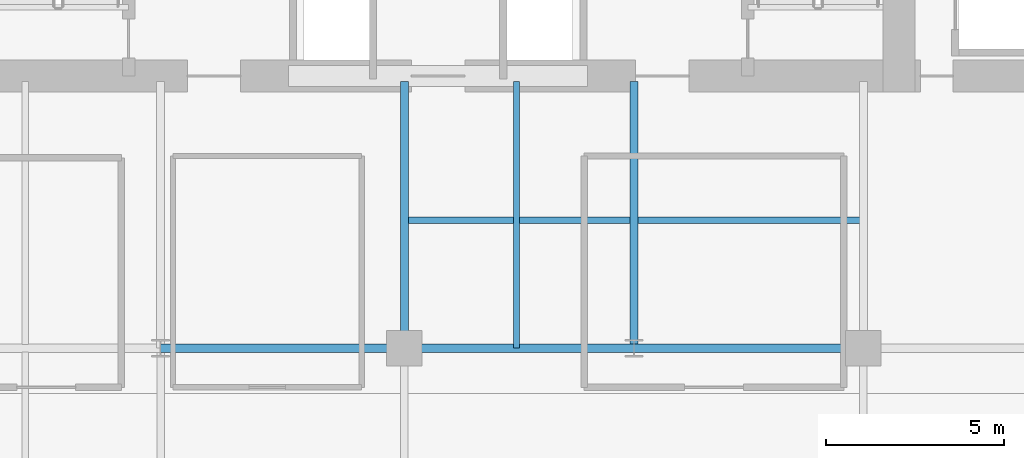
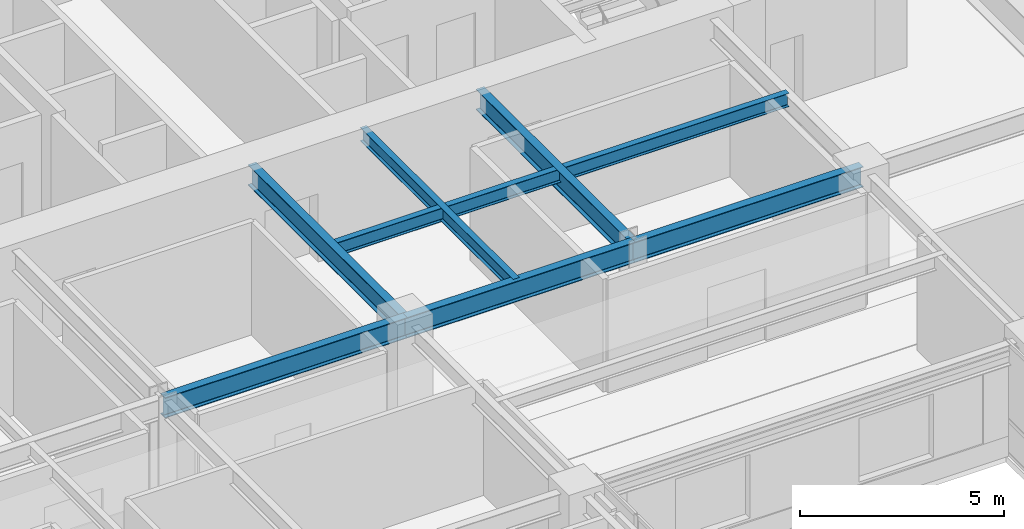
# One storey, part 7 of 31: 7 beams.
"""IFC4 building model written with IfcOpenShell, lengths in metres."""

from ifc_helpers import new_model, si_unit, direction, frame, origin, origin_2d, place, context, subcontext, project, spatial, i_section, extrude, source, transform, mapped, material, material_profile, profile_set, type_object, type_shapes, element, save


model = new_model("IFC4")

# Units and contexts
model_context = context("Model", 3, precision=1e-05, world=origin(), true_north=direction((0.0, 1.0)))
body_context = subcontext(model_context, "Body", "Model", "MODEL_VIEW")
ifc_project = project(units=[si_unit("LENGTHUNIT", "METRE"), si_unit("AREAUNIT", "SQUARE_METRE"), si_unit("VOLUMEUNIT", "CUBIC_METRE"), si_unit("PLANEANGLEUNIT", "RADIAN"), si_unit("MASSUNIT", "GRAM", prefix="KILO")], contexts=[model_context])

# Site, building, storey
site_placement = place(None, origin())
site = spatial("IfcSite", under=ifc_project, at=site_placement, CompositionType="ELEMENT")
building_placement = place(site_placement, origin())
building = spatial("IfcBuilding", under=site, at=building_placement, Name="Tolvann Quenvar Hotel", CompositionType="ELEMENT")
storey_placement = place(building_placement, frame((0.0, 0.0, 74.60009765625)))
storey = spatial("IfcBuildingStorey", under=building, at=storey_placement, Name="L18", CompositionType="ELEMENT", Elevation=74.60009765625)

# Beams
ifc_material = material(Name="Steel Grade 350", Category="steel")
ifc_material_profile_1 = material_profile(ifc_material, i_section(OverallWidth=0.22900390625, OverallDepth=0.612060546875, WebThickness=0.011962890625, FlangeThickness=0.01953125, FilletRadius=0.013916015625, at=origin_2d()), Name="610UB125")
ifc_profile_set_1 = profile_set([ifc_material_profile_1], Name="Steel Grade 350")
beam_type_1 = type_object("IfcBeamType", Name="BM_GIRD_610UB125", PredefinedType="BEAM", material=ifc_profile_set_1)
shared_shape_1 = source(origin(), body_context, "Body", "SweptSolid", [
    extrude(i_section(OverallWidth=0.22900390625, OverallDepth=0.612060546875, WebThickness=0.011962890625, FlangeThickness=0.01953125, FilletRadius=0.013916015625, at=origin_2d()), origin(), (0.0, 0.0, 1.0), 6.85009765625),
])
beam_1_placement = place(storey_placement, frame((15.199951171875, 24.39990234375, 3.06396484375), z_axis=(1.0, 0.0, 0.0), x_axis=(0.0, 1.0, 0.0)))
element("IfcBeam", 1, at=beam_1_placement, inside=storey, type_object=beam_type_1, Name="BM-L18-EW-5-D5-E5", PredefinedType="BEAM", context=body_context, shape_type="MappedRepresentation", body=[
    mapped(shared_shape_1, transform((0.0, 0.0, 0.0), x_axis=(1.0, 0.0, 0.0), y_axis=(0.0, 1.0, 0.0), z_axis=(0.0, 0.0, 1.0), scale=1.0)),
])
shared_shape_2 = source(origin(), body_context, "Body", "SweptSolid", [
    extrude(i_section(OverallWidth=0.22900390625, OverallDepth=0.612060546875, WebThickness=0.011962890625, FlangeThickness=0.01953125, FilletRadius=0.013916015625, at=origin_2d()), origin(), (0.0, 0.0, 1.0), 6.449951171875),
])
for number, where, z_axis, x_axis, name in (
    (2, (22.050048828125, 24.39990234375, 3.06396484375), (1.0, 0.0, 0.0), (0.0, 1.0, 0.0), "BM-L18-EW-5-E5-M5"),
    (3, (28.5, 24.39990234375, 3.06396484375), (1.0, 0.0, 0.0), (0.0, 1.0, 0.0), "BM-L18-EW-5-M5-F5"),
):
    element("IfcBeam", number, at=place(storey_placement, frame(where, z_axis=z_axis, x_axis=x_axis)), inside=storey, type_object=beam_type_1, Name=name, PredefinedType="BEAM", context=body_context, shape_type="MappedRepresentation", body=[
        mapped(shared_shape_2, transform((0.0, 0.0, 0.0), x_axis=(1.0, 0.0, 0.0), y_axis=(0.0, 1.0, 0.0), z_axis=(0.0, 0.0, 1.0), scale=1.0)),
    ])
shared_shape_3 = source(origin(), body_context, "Body", "SweptSolid", [
    extrude(i_section(OverallWidth=0.22900390625, OverallDepth=0.612060546875, WebThickness=0.011962890625, FlangeThickness=0.01953125, FilletRadius=0.013916015625, at=origin_2d()), origin(), (0.0, 0.0, 1.0), 7.5),
])
type_shapes(beam_type_1, [shared_shape_1, shared_shape_2, shared_shape_3])
for number, where, z_axis, x_axis, name in (
    (4, (22.050048828125, 24.39990234375, 3.06396484375), (0.0, 1.0, 0.0), (-1.0, 0.0, 0.0), "BM-L18-CORE-E5"),
    (5, (28.5, 24.39990234375, 3.06396484375), (0.0, 1.0, 0.0), (-1.0, 0.0, 0.0), "BM-L18-CORE-M5"),
):
    element("IfcBeam", number, at=place(storey_placement, frame(where, z_axis=z_axis, x_axis=x_axis)), inside=storey, type_object=beam_type_1, Name=name, PredefinedType="BEAM", context=body_context, shape_type="MappedRepresentation", body=[
        mapped(shared_shape_3, transform((0.0, 0.0, 0.0), x_axis=(1.0, 0.0, 0.0), y_axis=(0.0, 1.0, 0.0), z_axis=(0.0, 0.0, 1.0), scale=1.0)),
    ])
ifc_material_profile_2 = material_profile(ifc_material, i_section(OverallWidth=0.177978515625, OverallDepth=0.406005859375, WebThickness=0.0078125, FlangeThickness=0.0126953125, FilletRadius=0.011474609375, at=origin_2d()), Name="410UB60")
ifc_profile_set_2 = profile_set([ifc_material_profile_2], Name="Steel Grade 350")
beam_type_2 = type_object("IfcBeamType", Name="BM_JOIST_410UB60", PredefinedType="JOIST", material=ifc_profile_set_2)
shared_shape_4 = source(origin(), body_context, "Body", "SweptSolid", [
    extrude(i_section(OverallWidth=0.177978515625, OverallDepth=0.406005859375, WebThickness=0.0078125, FlangeThickness=0.0126953125, FilletRadius=0.011474609375, at=origin_2d()), origin(), (0.0, 0.0, 1.0), 12.89990234375),
])
beam_2_placement = place(storey_placement, frame((22.050048828125, 28.0, 3.1669921875), z_axis=(1.0, 0.0, 0.0), x_axis=(0.0, 1.0, 0.0)))
element("IfcBeam", 6, at=beam_2_placement, inside=storey, type_object=beam_type_2, Name="BM-L18-SPINE-28", PredefinedType="JOIST", context=body_context, shape_type="MappedRepresentation", body=[
    mapped(shared_shape_4, transform((0.0, 0.0, 0.0), x_axis=(1.0, 0.0, 0.0), y_axis=(0.0, 1.0, 0.0), z_axis=(0.0, 0.0, 1.0), scale=1.0)),
])
shared_shape_5 = source(origin(), body_context, "Body", "SweptSolid", [
    extrude(i_section(OverallWidth=0.177978515625, OverallDepth=0.406005859375, WebThickness=0.0078125, FlangeThickness=0.0126953125, FilletRadius=0.011474609375, at=origin_2d()), origin(), (0.0, 0.0, 1.0), 7.5),
])
type_shapes(beam_type_2, [shared_shape_4, shared_shape_5])
beam_3_placement = place(storey_placement, frame((25.199951171875, 24.39990234375, 3.1669921875), z_axis=(0.0, 1.0, 0.0), x_axis=(-1.0, 0.0, 0.0)))
element("IfcBeam", 7, at=beam_3_placement, inside=storey, type_object=beam_type_2, Name="BJ-L18-252-244", PredefinedType="JOIST", context=body_context, shape_type="MappedRepresentation", body=[
    mapped(shared_shape_5, transform((0.0, 0.0, 0.0), x_axis=(1.0, 0.0, 0.0), y_axis=(0.0, 1.0, 0.0), z_axis=(0.0, 0.0, 1.0), scale=1.0)),
])

save(model, "model.ifc")
